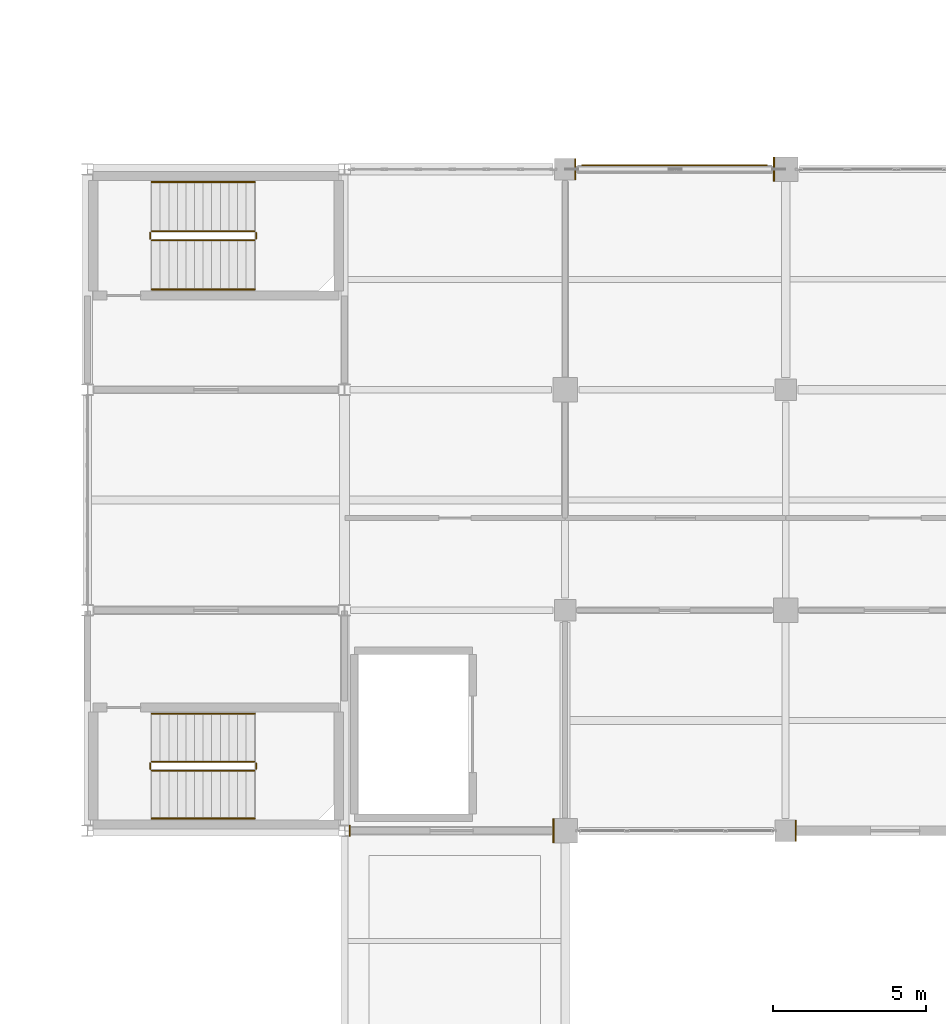
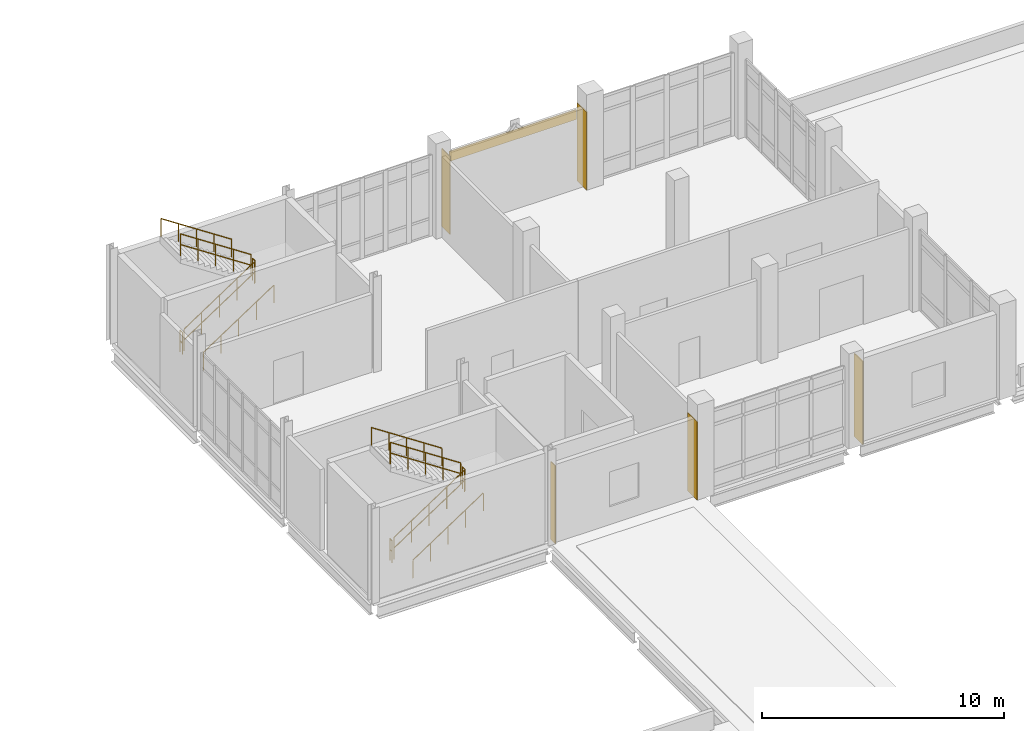
# One storey, part 150 of 153: 12 railings, 6 coverings.
"""IFC4 building model written with IfcOpenShell, lengths in metres."""

from ifc_helpers import new_model, si_unit, direction, frame, origin, origin_2d, place, context, subcontext, project, spatial, polyline, rectangle, circle, outline, extrude, material, layer, layer_set, type_object, element, save


model = new_model("IFC4")

# Units and contexts
model_context = context("Model", 3, precision=1e-05, world=origin(), true_north=direction((0.0, 1.0)))
body_context = subcontext(model_context, "Body", "Model", "MODEL_VIEW")
ifc_project = project(units=[si_unit("LENGTHUNIT", "METRE"), si_unit("AREAUNIT", "SQUARE_METRE"), si_unit("VOLUMEUNIT", "CUBIC_METRE"), si_unit("PLANEANGLEUNIT", "RADIAN"), si_unit("MASSUNIT", "GRAM", prefix="KILO")], contexts=[model_context])

# Site, building, storey
site_placement = place(None, origin())
site = spatial("IfcSite", under=ifc_project, at=site_placement, CompositionType="ELEMENT")
building_placement = place(site_placement, origin())
building = spatial("IfcBuilding", under=site, at=building_placement, Name="Calvrana Isthmian Art Gallery", CompositionType="ELEMENT")
storey_placement = place(building_placement, frame((0.0, 0.0, 10.199951171875)))
storey = spatial("IfcBuildingStorey", under=building, at=storey_placement, Name="L02", CompositionType="ELEMENT", Elevation=10.199951171875)

# Coverings
ifc_material_1 = material(Name="Polychrome glazed terracotta", Category="masonry")
ifc_layer = layer(ifc_material_1, 0.0400390625, Name="Polychrome glazed terracotta")
ifc_layer_set = layer_set([ifc_layer], Name="Polychrome glazed terracotta")
covering_type = type_object("IfcCoveringType", Name="COV-CLAD-TERRA", PredefinedType="CLADDING", material=ifc_layer_set)
covering_1_placement = place(storey_placement, origin())
element("IfcCovering", 1, at=covering_1_placement, inside=storey, type_object=covering_type, Name="Column pocket weather closure L02-14-10-W", PredefinedType="CLADDING", context=body_context, shape_type="SweptSolid", body=[
    extrude(outline(polyline([(112.946533203125, 76.618408203125), (112.986572265625, 76.618408203125), (112.986572265625, 76.9814453125), (112.946533203125, 76.9814453125), (112.946533203125, 76.618408203125)])), origin(), (0.0, 0.0, 1.0), 3.93310546875),
])
covering_2_placement = place(storey_placement, origin())
element("IfcCovering", 2, at=covering_2_placement, inside=storey, type_object=covering_type, Name="Column pocket weather closure L02-14-10-E", PredefinedType="CLADDING", context=body_context, shape_type="SweptSolid", body=[
    extrude(outline(polyline([(119.60009765625, 76.405029296875), (119.639892578125, 76.405029296875), (119.639892578125, 77.195068359375), (119.60009765625, 77.195068359375), (119.60009765625, 76.405029296875)])), origin(), (0.0, 0.0, 1.0), 3.93310546875),
])
covering_3_placement = place(storey_placement, origin())
element("IfcCovering", 3, at=covering_3_placement, inside=storey, type_object=covering_type, Name="Column pocket weather closure L02-16-10-W", PredefinedType="CLADDING", context=body_context, shape_type="SweptSolid", body=[
    extrude(outline(polyline([(127.510009765625, 76.455078125), (127.550048828125, 76.455078125), (127.550048828125, 77.14501953125), (127.510009765625, 77.14501953125), (127.510009765625, 76.455078125)])), origin(), (0.0, 0.0, 1.0), 4.18408203125),
])
covering_4_placement = place(storey_placement, origin())
element("IfcCovering", 4, at=covering_4_placement, inside=storey, type_object=covering_type, Name="Column pocket weather closure L02-15-13-W", PredefinedType="CLADDING", context=body_context, shape_type="SweptSolid", body=[
    extrude(outline(polyline([(120.31005859375, 98.054931640625), (120.35009765625, 98.054931640625), (120.35009765625, 98.7451171875), (120.31005859375, 98.7451171875), (120.31005859375, 98.054931640625)])), origin(), (0.0, 0.0, 1.0), 3.93310546875),
])
covering_5_placement = place(storey_placement, origin())
element("IfcCovering", 5, at=covering_5_placement, inside=storey, type_object=covering_type, Name="Column pocket weather closure L02-15-13-E", PredefinedType="CLADDING", context=body_context, shape_type="SweptSolid", body=[
    extrude(outline(polyline([(126.800048828125, 98.0048828125), (126.840087890625, 98.0048828125), (126.840087890625, 98.794921875), (126.800048828125, 98.794921875), (126.800048828125, 98.0048828125)])), origin(), (0.0, 0.0, 1.0), 3.93310546875),
])
covering_6_placement = place(storey_placement, frame((123.574951171875, 98.528076171875, 3.3330078125), z_axis=(0.0, 0.0, 1.0), x_axis=(1.0, 0.0, 0.0)))
element("IfcCovering", 6, at=covering_6_placement, inside=storey, type_object=covering_type, Name="Terracotta spandrel cladding 125", PredefinedType="CLADDING", context=body_context, shape_type="SweptSolid", body=[
    extrude(rectangle(XDim=6.050048828125, YDim=0.0400390625, at=origin_2d()), origin(), (0.0, 0.0, 1.0), 0.5),
])

# Railings
ifc_material_2 = material(Name="Stainless steel 316", Category="steel")
railing_type_1 = type_object("IfcRailingType", Name="RL-GUARD-1120", PredefinedType="BALUSTRADE", material=ifc_material_2)
railing_1_placement = place(storey_placement, frame((106.5, 78.760009765625, 0.1845703125)))
element("IfcRailing", 7, at=railing_1_placement, inside=storey, type_object=railing_type_1, Name="Stair ST-5 guard L02-1", PredefinedType="BALUSTRADE", context=body_context, shape_type="SweptSolid", body=[
    extrude(circle(Radius=0.02392578125, at=origin_2d()), frame((0.0, 0.0, 1.09619140625), z_axis=(0.834848600103, 0.0, 0.550479622607), x_axis=(0.0, 1.0, 0.0)), (0.0, 0.0, 1.0), 4.02490234375),
    extrude(circle(Radius=0.02392578125, at=origin_2d()), frame((0.0, 0.0, 0.56005859375), z_axis=(0.834848600103, 0.0, 0.550479622607), x_axis=(0.0, 1.0, 0.0)), (0.0, 0.0, 1.0), 4.02490234375),
    extrude(circle(Radius=0.02099609375, at=origin_2d()), origin(), (0.0, 0.0, 1.0), 1.072021484375),
    extrude(circle(Radius=0.02099609375, at=origin_2d()), frame((0.840087890625, 0.0, 0.553955078125)), (0.0, 0.0, 1.0), 1.072021484375),
    extrude(circle(Radius=0.02099609375, at=origin_2d()), frame((1.68017578125, 0.0, 1.10791015625)), (0.0, 0.0, 1.0), 1.072021484375),
    extrude(circle(Radius=0.02099609375, at=origin_2d()), frame((2.52001953125, 0.0, 1.66162109375)), (0.0, 0.0, 1.0), 1.072021484375),
    extrude(circle(Radius=0.02099609375, at=origin_2d()), frame((3.360107421875, 0.0, 2.215576171875)), (0.0, 0.0, 1.0), 1.072021484375),
])
railing_2_placement = place(storey_placement, frame((109.909912109375, 78.81005859375, 2.400146484375)))
element("IfcRailing", 8, at=railing_2_placement, inside=storey, type_object=railing_type_1, Name="Stair ST-5 guard L02-2", PredefinedType="BALUSTRADE", context=body_context, shape_type="SweptSolid", body=[
    extrude(circle(Radius=0.02392578125, at=origin_2d()), frame((0.0, 0.0, 1.09619140625), z_axis=(0.0, 1.0, 0.0), x_axis=(-1.0, 0.0, 0.0)), (0.0, 0.0, 1.0), 0.199951171875),
    extrude(circle(Radius=0.02392578125, at=origin_2d()), frame((0.0, 0.0, 0.56005859375), z_axis=(0.0, 1.0, 0.0), x_axis=(-1.0, 0.0, 0.0)), (0.0, 0.0, 1.0), 0.199951171875),
    extrude(circle(Radius=0.02099609375, at=origin_2d()), origin(), (0.0, 0.0, 1.0), 1.072021484375),
    extrude(circle(Radius=0.02099609375, at=origin_2d()), frame((0.0, 0.199951171875, 0.0)), (0.0, 0.0, 1.0), 1.072021484375),
])
railing_3_placement = place(storey_placement, frame((109.860107421875, 79.06005859375, 2.584716796875)))
element("IfcRailing", 9, at=railing_3_placement, inside=storey, type_object=railing_type_1, Name="Stair ST-5 guard L02-3", PredefinedType="BALUSTRADE", context=body_context, shape_type="SweptSolid", body=[
    extrude(circle(Radius=0.02392578125, at=origin_2d()), frame((0.0, 0.0, 1.09619140625), z_axis=(-0.834876476806, 0.0, 0.550437342915), x_axis=(0.0, -1.0, 0.0)), (0.0, 0.0, 1.0), 4.024658203125),
    extrude(circle(Radius=0.02392578125, at=origin_2d()), frame((0.0, 0.0, 0.56005859375), z_axis=(-0.834876476806, 0.0, 0.550437342915), x_axis=(0.0, -1.0, 0.0)), (0.0, 0.0, 1.0), 4.024658203125),
    extrude(circle(Radius=0.02099609375, at=origin_2d()), origin(), (0.0, 0.0, 1.0), 1.072021484375),
    extrude(circle(Radius=0.02099609375, at=origin_2d()), frame((-0.840087890625, 0.0, 0.5537109375)), (0.0, 0.0, 1.0), 1.072021484375),
    extrude(circle(Radius=0.02099609375, at=origin_2d()), frame((-1.68017578125, 0.0, 1.107666015625)), (0.0, 0.0, 1.0), 1.072021484375),
    extrude(circle(Radius=0.02099609375, at=origin_2d()), frame((-2.52001953125, 0.0, 1.66162109375)), (0.0, 0.0, 1.0), 1.072021484375),
    extrude(circle(Radius=0.02099609375, at=origin_2d()), frame((-3.360107421875, 0.0, 2.21533203125)), (0.0, 0.0, 1.0), 1.072021484375),
])
railing_4_placement = place(storey_placement, frame((106.449951171875, 78.81005859375, 0.0)))
element("IfcRailing", 10, at=railing_4_placement, inside=storey, type_object=railing_type_1, Name="Stair ST-5 guard L02-4", PredefinedType="BALUSTRADE", context=body_context, shape_type="SweptSolid", body=[
    extrude(circle(Radius=0.02392578125, at=origin_2d()), frame((0.0, 0.0, 1.09619140625), z_axis=(0.0, 1.0, 0.0), x_axis=(-1.0, 0.0, 0.0)), (0.0, 0.0, 1.0), 0.199951171875),
    extrude(circle(Radius=0.02392578125, at=origin_2d()), frame((0.0, 0.0, 0.56005859375), z_axis=(0.0, 1.0, 0.0), x_axis=(-1.0, 0.0, 0.0)), (0.0, 0.0, 1.0), 0.199951171875),
    extrude(circle(Radius=0.02099609375, at=origin_2d()), origin(), (0.0, 0.0, 1.0), 1.072021484375),
    extrude(circle(Radius=0.02099609375, at=origin_2d()), frame((0.0, 0.199951171875, 0.0)), (0.0, 0.0, 1.0), 1.072021484375),
])
railing_5_placement = place(storey_placement, frame((106.5, 96.080078125, 0.1845703125)))
element("IfcRailing", 11, at=railing_5_placement, inside=storey, type_object=railing_type_1, Name="Stair ST-8 guard L02-1", PredefinedType="BALUSTRADE", context=body_context, shape_type="SweptSolid", body=[
    extrude(circle(Radius=0.02392578125, at=origin_2d()), frame((0.0, 0.0, 1.09619140625), z_axis=(0.834848600103, 0.0, 0.550479622607), x_axis=(0.0, 1.0, 0.0)), (0.0, 0.0, 1.0), 4.02490234375),
    extrude(circle(Radius=0.02392578125, at=origin_2d()), frame((0.0, 0.0, 0.56005859375), z_axis=(0.834848600103, 0.0, 0.550479622607), x_axis=(0.0, 1.0, 0.0)), (0.0, 0.0, 1.0), 4.02490234375),
    extrude(circle(Radius=0.02099609375, at=origin_2d()), origin(), (0.0, 0.0, 1.0), 1.072021484375),
    extrude(circle(Radius=0.02099609375, at=origin_2d()), frame((0.840087890625, 0.0, 0.553955078125)), (0.0, 0.0, 1.0), 1.072021484375),
    extrude(circle(Radius=0.02099609375, at=origin_2d()), frame((1.68017578125, 0.0, 1.10791015625)), (0.0, 0.0, 1.0), 1.072021484375),
    extrude(circle(Radius=0.02099609375, at=origin_2d()), frame((2.52001953125, 0.0, 1.66162109375)), (0.0, 0.0, 1.0), 1.072021484375),
    extrude(circle(Radius=0.02099609375, at=origin_2d()), frame((3.360107421875, 0.0, 2.215576171875)), (0.0, 0.0, 1.0), 1.072021484375),
])
railing_6_placement = place(storey_placement, frame((109.909912109375, 96.1298828125, 2.400146484375)))
element("IfcRailing", 12, at=railing_6_placement, inside=storey, type_object=railing_type_1, Name="Stair ST-8 guard L02-2", PredefinedType="BALUSTRADE", context=body_context, shape_type="SweptSolid", body=[
    extrude(circle(Radius=0.02392578125, at=origin_2d()), frame((0.0, 0.0, 1.09619140625), z_axis=(0.0, 1.0, 0.0), x_axis=(-1.0, 0.0, 0.0)), (0.0, 0.0, 1.0), 0.2001953125),
    extrude(circle(Radius=0.02392578125, at=origin_2d()), frame((0.0, 0.0, 0.56005859375), z_axis=(0.0, 1.0, 0.0), x_axis=(-1.0, 0.0, 0.0)), (0.0, 0.0, 1.0), 0.2001953125),
    extrude(circle(Radius=0.02099609375, at=origin_2d()), origin(), (0.0, 0.0, 1.0), 1.072021484375),
    extrude(circle(Radius=0.02099609375, at=origin_2d()), frame((0.0, 0.2001953125, 0.0)), (0.0, 0.0, 1.0), 1.072021484375),
])
railing_7_placement = place(storey_placement, frame((109.860107421875, 96.3798828125, 2.584716796875)))
element("IfcRailing", 13, at=railing_7_placement, inside=storey, type_object=railing_type_1, Name="Stair ST-8 guard L02-3", PredefinedType="BALUSTRADE", context=body_context, shape_type="SweptSolid", body=[
    extrude(circle(Radius=0.02392578125, at=origin_2d()), frame((0.0, 0.0, 1.09619140625), z_axis=(-0.834876476806, 0.0, 0.550437342915), x_axis=(0.0, -1.0, 0.0)), (0.0, 0.0, 1.0), 4.024658203125),
    extrude(circle(Radius=0.02392578125, at=origin_2d()), frame((0.0, 0.0, 0.56005859375), z_axis=(-0.834876476806, 0.0, 0.550437342915), x_axis=(0.0, -1.0, 0.0)), (0.0, 0.0, 1.0), 4.024658203125),
    extrude(circle(Radius=0.02099609375, at=origin_2d()), origin(), (0.0, 0.0, 1.0), 1.072021484375),
    extrude(circle(Radius=0.02099609375, at=origin_2d()), frame((-0.840087890625, 0.0, 0.5537109375)), (0.0, 0.0, 1.0), 1.072021484375),
    extrude(circle(Radius=0.02099609375, at=origin_2d()), frame((-1.68017578125, 0.0, 1.107666015625)), (0.0, 0.0, 1.0), 1.072021484375),
    extrude(circle(Radius=0.02099609375, at=origin_2d()), frame((-2.52001953125, 0.0, 1.66162109375)), (0.0, 0.0, 1.0), 1.072021484375),
    extrude(circle(Radius=0.02099609375, at=origin_2d()), frame((-3.360107421875, 0.0, 2.21533203125)), (0.0, 0.0, 1.0), 1.072021484375),
])
railing_8_placement = place(storey_placement, frame((106.449951171875, 96.1298828125, 0.0)))
element("IfcRailing", 14, at=railing_8_placement, inside=storey, type_object=railing_type_1, Name="Stair ST-8 guard L02-4", PredefinedType="BALUSTRADE", context=body_context, shape_type="SweptSolid", body=[
    extrude(circle(Radius=0.02392578125, at=origin_2d()), frame((0.0, 0.0, 1.09619140625), z_axis=(0.0, 1.0, 0.0), x_axis=(-1.0, 0.0, 0.0)), (0.0, 0.0, 1.0), 0.2001953125),
    extrude(circle(Radius=0.02392578125, at=origin_2d()), frame((0.0, 0.0, 0.56005859375), z_axis=(0.0, 1.0, 0.0), x_axis=(-1.0, 0.0, 0.0)), (0.0, 0.0, 1.0), 0.2001953125),
    extrude(circle(Radius=0.02099609375, at=origin_2d()), origin(), (0.0, 0.0, 1.0), 1.072021484375),
    extrude(circle(Radius=0.02099609375, at=origin_2d()), frame((0.0, 0.2001953125, 0.0)), (0.0, 0.0, 1.0), 1.072021484375),
])
railing_type_2 = type_object("IfcRailingType", Name="RL-HAND-920", PredefinedType="HANDRAIL", material=ifc_material_2)
railing_9_placement = place(storey_placement, frame((106.5, 77.199951171875, 0.1845703125)))
element("IfcRailing", 15, at=railing_9_placement, inside=storey, type_object=railing_type_2, Name="Stair ST-5 handrail L02-1", PredefinedType="HANDRAIL", context=body_context, shape_type="SweptSolid", body=[
    extrude(circle(Radius=0.02392578125, at=origin_2d()), frame((0.0, 0.0, 0.89599609375), z_axis=(0.834848600103, 0.0, 0.550479622607), x_axis=(0.0, 1.0, 0.0)), (0.0, 0.0, 1.0), 4.02490234375),
    extrude(circle(Radius=0.02099609375, at=origin_2d()), origin(), (0.0, 0.0, 1.0), 0.871826171875),
    extrude(circle(Radius=0.02099609375, at=origin_2d()), frame((0.840087890625, 0.0, 0.553955078125)), (0.0, 0.0, 1.0), 0.871826171875),
    extrude(circle(Radius=0.02099609375, at=origin_2d()), frame((1.68017578125, 0.0, 1.10791015625)), (0.0, 0.0, 1.0), 0.871826171875),
    extrude(circle(Radius=0.02099609375, at=origin_2d()), frame((2.52001953125, 0.0, 1.66162109375)), (0.0, 0.0, 1.0), 0.871826171875),
    extrude(circle(Radius=0.02099609375, at=origin_2d()), frame((3.360107421875, 0.0, 2.215576171875)), (0.0, 0.0, 1.0), 0.871826171875),
])
railing_10_placement = place(storey_placement, frame((109.860107421875, 80.6201171875, 2.584716796875)))
element("IfcRailing", 16, at=railing_10_placement, inside=storey, type_object=railing_type_2, Name="Stair ST-5 handrail L02-2", PredefinedType="HANDRAIL", context=body_context, shape_type="SweptSolid", body=[
    extrude(circle(Radius=0.02392578125, at=origin_2d()), frame((0.0, 0.0, 0.89599609375), z_axis=(-0.834876476806, 0.0, 0.550437342915), x_axis=(0.0, -1.0, 0.0)), (0.0, 0.0, 1.0), 4.024658203125),
    extrude(circle(Radius=0.02099609375, at=origin_2d()), origin(), (0.0, 0.0, 1.0), 0.871826171875),
    extrude(circle(Radius=0.02099609375, at=origin_2d()), frame((-0.840087890625, 0.0, 0.5537109375)), (0.0, 0.0, 1.0), 0.871826171875),
    extrude(circle(Radius=0.02099609375, at=origin_2d()), frame((-1.68017578125, 0.0, 1.107666015625)), (0.0, 0.0, 1.0), 0.871826171875),
    extrude(circle(Radius=0.02099609375, at=origin_2d()), frame((-2.52001953125, 0.0, 1.66162109375)), (0.0, 0.0, 1.0), 0.871826171875),
    extrude(circle(Radius=0.02099609375, at=origin_2d()), frame((-3.360107421875, 0.0, 2.21533203125)), (0.0, 0.0, 1.0), 0.871826171875),
])
railing_11_placement = place(storey_placement, frame((106.5, 94.47998046875, 0.1845703125)))
element("IfcRailing", 17, at=railing_11_placement, inside=storey, type_object=railing_type_2, Name="Stair ST-8 handrail L02-1", PredefinedType="HANDRAIL", context=body_context, shape_type="SweptSolid", body=[
    extrude(circle(Radius=0.02392578125, at=origin_2d()), frame((0.0, 0.0, 0.89599609375), z_axis=(0.834848600103, 0.0, 0.550479622607), x_axis=(0.0, 1.0, 0.0)), (0.0, 0.0, 1.0), 4.02490234375),
    extrude(circle(Radius=0.02099609375, at=origin_2d()), origin(), (0.0, 0.0, 1.0), 0.871826171875),
    extrude(circle(Radius=0.02099609375, at=origin_2d()), frame((0.840087890625, 0.0, 0.553955078125)), (0.0, 0.0, 1.0), 0.871826171875),
    extrude(circle(Radius=0.02099609375, at=origin_2d()), frame((1.68017578125, 0.0, 1.10791015625)), (0.0, 0.0, 1.0), 0.871826171875),
    extrude(circle(Radius=0.02099609375, at=origin_2d()), frame((2.52001953125, 0.0, 1.66162109375)), (0.0, 0.0, 1.0), 0.871826171875),
    extrude(circle(Radius=0.02099609375, at=origin_2d()), frame((3.360107421875, 0.0, 2.215576171875)), (0.0, 0.0, 1.0), 0.871826171875),
])
railing_12_placement = place(storey_placement, frame((109.860107421875, 97.97998046875, 2.584716796875)))
element("IfcRailing", 18, at=railing_12_placement, inside=storey, type_object=railing_type_2, Name="Stair ST-8 handrail L02-2", PredefinedType="HANDRAIL", context=body_context, shape_type="SweptSolid", body=[
    extrude(circle(Radius=0.02392578125, at=origin_2d()), frame((0.0, 0.0, 0.89599609375), z_axis=(-0.834876476806, 0.0, 0.550437342915), x_axis=(0.0, -1.0, 0.0)), (0.0, 0.0, 1.0), 4.024658203125),
    extrude(circle(Radius=0.02099609375, at=origin_2d()), origin(), (0.0, 0.0, 1.0), 0.871826171875),
    extrude(circle(Radius=0.02099609375, at=origin_2d()), frame((-0.840087890625, 0.0, 0.5537109375)), (0.0, 0.0, 1.0), 0.871826171875),
    extrude(circle(Radius=0.02099609375, at=origin_2d()), frame((-1.68017578125, 0.0, 1.107666015625)), (0.0, 0.0, 1.0), 0.871826171875),
    extrude(circle(Radius=0.02099609375, at=origin_2d()), frame((-2.52001953125, 0.0, 1.66162109375)), (0.0, 0.0, 1.0), 0.871826171875),
    extrude(circle(Radius=0.02099609375, at=origin_2d()), frame((-3.360107421875, 0.0, 2.21533203125)), (0.0, 0.0, 1.0), 0.871826171875),
])

save(model, "model.ifc")
